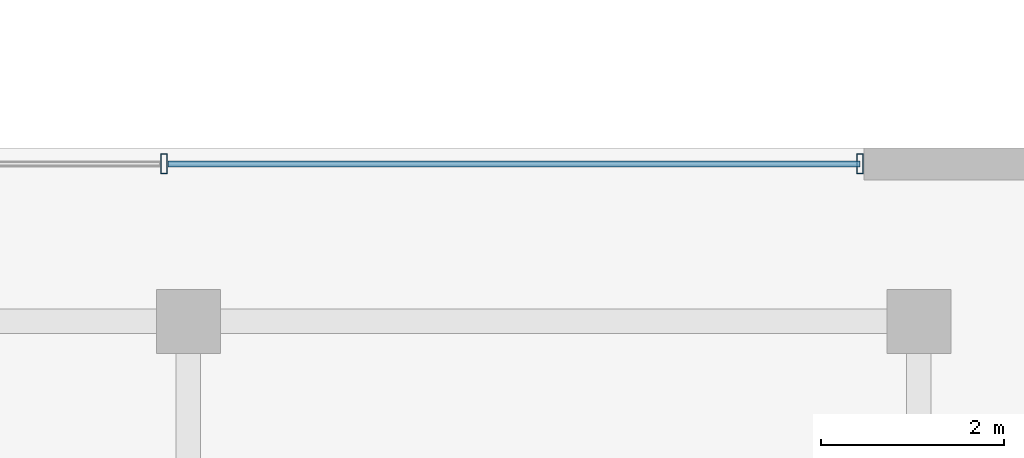
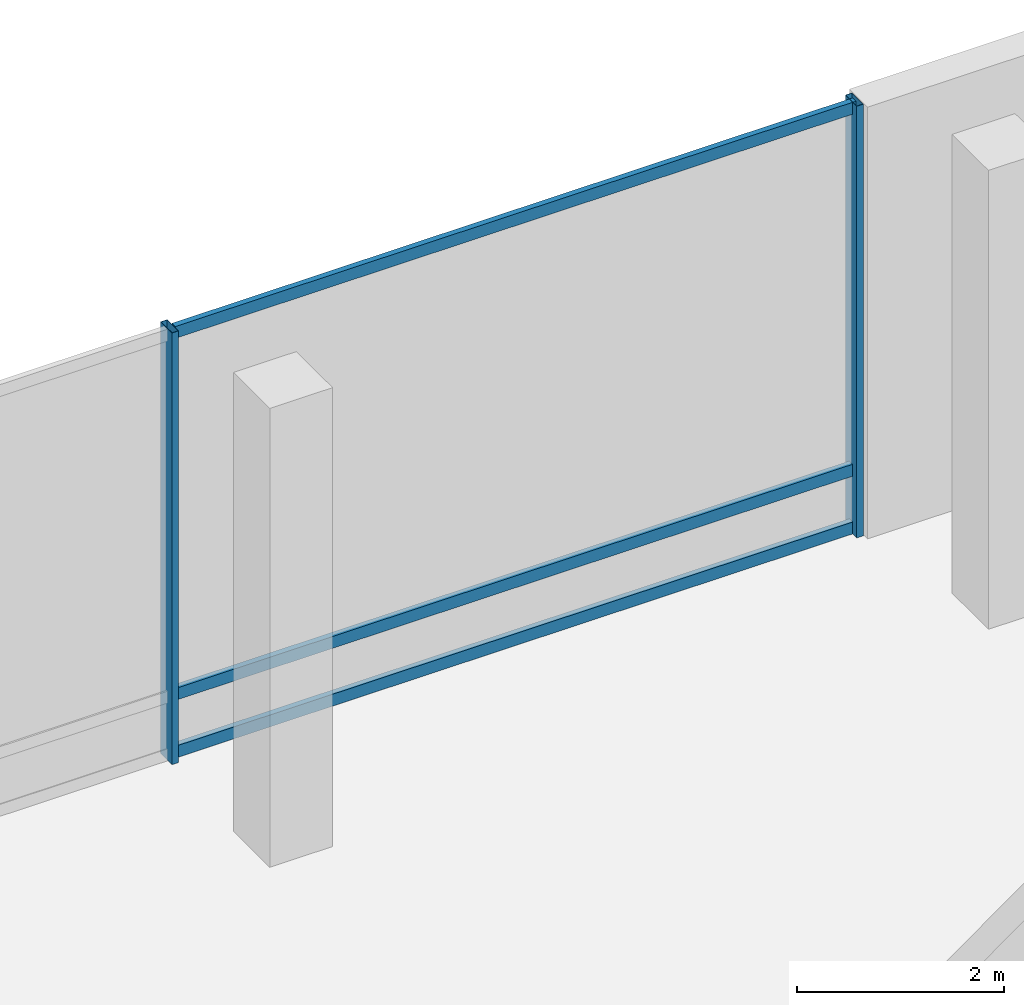
# One storey, part 9 of 22: 5 members, 1 element without a shape of its own.
"""IFC4 building model written with IfcOpenShell, lengths in metres."""

from ifc_helpers import new_model, si_unit, direction, frame, origin, origin_2d, place, context, subcontext, project, spatial, hollow_rectangle, extrude, material, layer, layer_set, material_profile, profile_set, type_object, element, aggregate, save


model = new_model("IFC4")

# Units and contexts
model_context = context("Model", 3, precision=1e-05, world=origin(), true_north=direction((0.0, 1.0)))
body_context = subcontext(model_context, "Body", "Model", "MODEL_VIEW")
ifc_project = project(units=[si_unit("LENGTHUNIT", "METRE"), si_unit("AREAUNIT", "SQUARE_METRE"), si_unit("VOLUMEUNIT", "CUBIC_METRE"), si_unit("PLANEANGLEUNIT", "RADIAN"), si_unit("MASSUNIT", "GRAM", prefix="KILO")], contexts=[model_context])

# Site, building, storey
site_placement = place(None, origin())
site = spatial("IfcSite", under=ifc_project, at=site_placement, CompositionType="ELEMENT")
building_placement = place(site_placement, origin())
building = spatial("IfcBuilding", under=site, at=building_placement, Name="Barlavira Tower and Art Museum", CompositionType="ELEMENT")
storey_placement = place(building_placement, frame((0.0, 0.0, 16.800048828125)))
storey = spatial("IfcBuildingStorey", under=building, at=storey_placement, Name="L03", CompositionType="ELEMENT", Elevation=16.800048828125)

# Curtain wall, members
ifc_material_1 = material(Name="Low-iron coastal laminated glass", Category="glass")
ifc_layer = layer(ifc_material_1, 0.199951171875, Name="Low-iron coastal laminated glass")
ifc_layer_set = layer_set([ifc_layer], Name="Low-iron coastal laminated glass")
curtain_wall_type = type_object("IfcCurtainWallType", Name="Coastal Art Museum North-Light Curtain Wall", PredefinedType="NOTDEFINED", material=ifc_layer_set)
curtain_wall_placement = place(storey_placement, origin())
curtain_wall = element("IfcCurtainWall", 1, at=curtain_wall_placement, inside=storey, type_object=curtain_wall_type, Name="L03 Curtain Wall CW6-MUS-L03-N", PredefinedType="NOTDEFINED")
ifc_material_2 = material(Name="Pale anodised aluminium", Category="aluminium")
ifc_material_profile_1 = material_profile(ifc_material_2, hollow_rectangle(XDim=0.074951171875, YDim=0.219970703125, WallThickness=0.0048828125, at=origin_2d()), Name="ALU-MULL 75x220x5")
ifc_profile_set_1 = profile_set([ifc_material_profile_1], Name="Pale anodised aluminium")
member_type_1 = type_object("IfcMemberType", Name="Curtain Wall Heavy Pale-Metal Mullion 75x220", PredefinedType="MULLION", material=ifc_profile_set_1)
member_1_placement = place(storey_placement, frame((54.955078125, 23.824951171875, 0.0), z_axis=(0.0, 0.0, 1.0), x_axis=(-1.0, 0.0, 0.0)))
member_1 = element("IfcMember", 2, at=member_1_placement, type_object=member_type_1, Name="CW6-MUS-L03-N Mullion 0", PredefinedType="MULLION", context=body_context, shape_type="SweptSolid", body=[
    extrude(hollow_rectangle(XDim=0.074951171875, YDim=0.219970703125, WallThickness=0.0048828125, at=origin_2d()), origin(), (0.0, 0.0, 1.0), 5.079833984375),
])
member_2_placement = place(storey_placement, frame((47.333251953125, 23.824951171875, 0.0), z_axis=(0.0, 0.0, 1.0), x_axis=(-1.0, 0.0, 0.0)))
member_2 = element("IfcMember", 3, at=member_2_placement, type_object=member_type_1, Name="CW6-MUS-L03-N Mullion 1", PredefinedType="MULLION", context=body_context, shape_type="SweptSolid", body=[
    extrude(hollow_rectangle(XDim=0.074951171875, YDim=0.219970703125, WallThickness=0.0048828125, at=origin_2d()), origin(), (0.0, 0.0, 1.0), 5.079833984375),
])
ifc_material_profile_2 = material_profile(ifc_material_2, hollow_rectangle(XDim=0.06494140625, YDim=0.139892578125, WallThickness=0.00390625, at=origin_2d()), Name="ALU-TRAN 65x140x4")
ifc_profile_set_2 = profile_set([ifc_material_profile_2], Name="Pale anodised aluminium")
member_type_2 = type_object("IfcMemberType", Name="Curtain Wall Pale-Metal Transom 65x140", PredefinedType="USERDEFINED", material=ifc_profile_set_2)
member_3_placement = place(storey_placement, frame((54.955078125, 23.824951171875, 0.070068359375), z_axis=(-1.0, 0.0, 0.0), x_axis=(0.0, -1.0, 0.0)))
member_3 = element("IfcMember", 4, at=member_3_placement, type_object=member_type_2, Name="CW6-MUS-L03-N Transom 0.1", ObjectType="TRANSOM", PredefinedType="USERDEFINED", context=body_context, shape_type="SweptSolid", body=[
    extrude(hollow_rectangle(XDim=0.06494140625, YDim=0.139892578125, WallThickness=0.00390625, at=origin_2d()), origin(), (0.0, 0.0, 1.0), 7.57666015625),
])
member_4_placement = place(storey_placement, frame((54.955078125, 23.824951171875, 0.75), z_axis=(-1.0, 0.0, 0.0), x_axis=(0.0, -1.0, 0.0)))
member_4 = element("IfcMember", 5, at=member_4_placement, type_object=member_type_2, Name="CW6-MUS-L03-N Transom 0.2", ObjectType="TRANSOM", PredefinedType="USERDEFINED", context=body_context, shape_type="SweptSolid", body=[
    extrude(hollow_rectangle(XDim=0.06494140625, YDim=0.139892578125, WallThickness=0.00390625, at=origin_2d()), origin(), (0.0, 0.0, 1.0), 7.57666015625),
])
member_5_placement = place(storey_placement, frame((54.955078125, 23.824951171875, 5.010009765625), z_axis=(-1.0, 0.0, 0.0), x_axis=(0.0, -1.0, 0.0)))
member_5 = element("IfcMember", 6, at=member_5_placement, type_object=member_type_2, Name="CW6-MUS-L03-N Transom 0.3", ObjectType="TRANSOM", PredefinedType="USERDEFINED", context=body_context, shape_type="SweptSolid", body=[
    extrude(hollow_rectangle(XDim=0.06494140625, YDim=0.139892578125, WallThickness=0.00390625, at=origin_2d()), origin(), (0.0, 0.0, 1.0), 7.57666015625),
])
aggregate(curtain_wall, [member_1, member_2, member_3, member_4, member_5])

save(model, "model.ifc")
